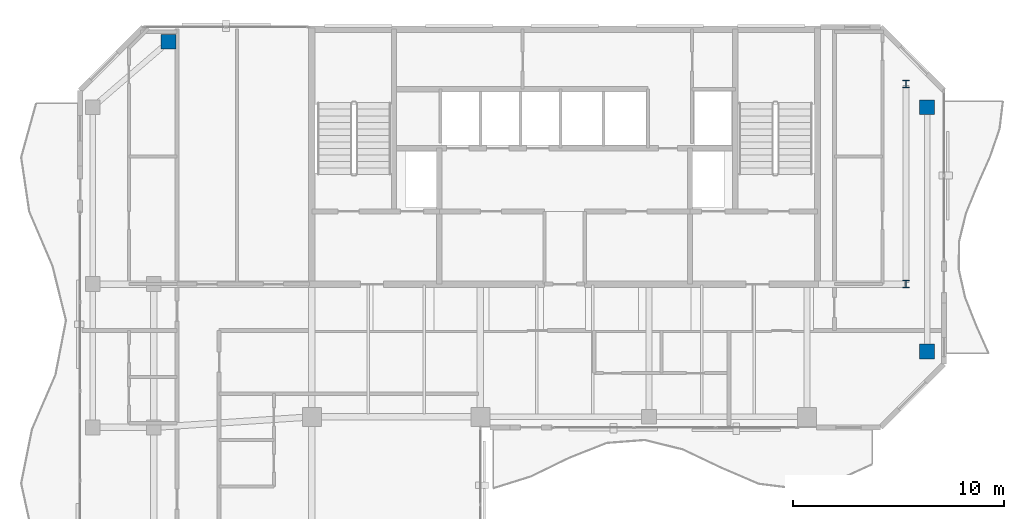
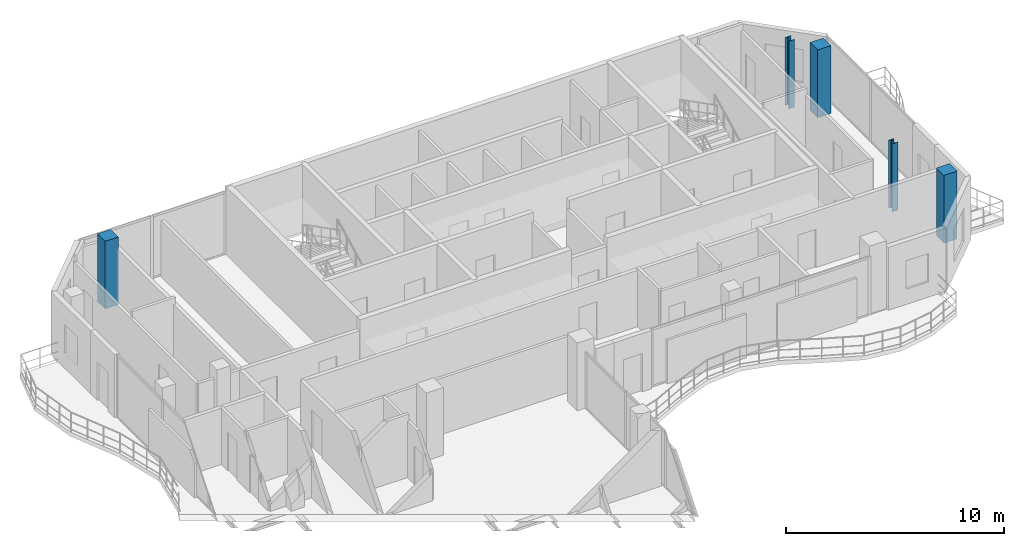
# One storey, part 2 of 23: 5 columns.
"""IFC4 building model written with IfcOpenShell, lengths in metres."""

from ifc_helpers import new_model, si_unit, direction, frame, origin, origin_2d, place, context, subcontext, project, spatial, rectangle, i_section, extrude, material, material_profile, profile_set, type_object, element, save


model = new_model("IFC4")

# Units and contexts
model_context = context("Model", 3, precision=1e-05, world=origin(), true_north=direction((0.0, 1.0)))
body_context = subcontext(model_context, "Body", "Model", "MODEL_VIEW")
ifc_project = project(units=[si_unit("LENGTHUNIT", "METRE"), si_unit("AREAUNIT", "SQUARE_METRE"), si_unit("VOLUMEUNIT", "CUBIC_METRE"), si_unit("PLANEANGLEUNIT", "RADIAN"), si_unit("MASSUNIT", "GRAM", prefix="KILO")], contexts=[model_context])

# Site, building, storey
site_placement = place(None, origin())
site = spatial("IfcSite", under=ifc_project, at=site_placement, CompositionType="ELEMENT")
building_placement = place(site_placement, origin())
building = spatial("IfcBuilding", under=site, at=building_placement, Name="Catumbela Crestline Tower", CompositionType="ELEMENT")
storey_placement = place(building_placement, frame((0.0, 0.0, 248.8)))
storey = spatial("IfcBuildingStorey", under=building, at=storey_placement, Name="L64", CompositionType="ELEMENT", Elevation=248.8)

# Columns
ifc_material_1 = material(Name="Concrete C45/55", Category="concrete")
ifc_material_profile_1 = material_profile(ifc_material_1, rectangle(XDim=0.7, YDim=0.7, at=origin_2d()), Name="RC 700x700")
ifc_profile_set_1 = profile_set([ifc_material_profile_1], Name="Concrete C45/55")
column_type_1 = type_object("IfcColumnType", Name="C-RC700-C45", PredefinedType="COLUMN", material=ifc_profile_set_1)
for number, where, z_axis, x_axis, name in (
    (1, (9.2, 42.3, 0.0), (0.0, 0.0, 1.0), (1.0, 0.0, 0.0), "L64 Column C-08-43 (RC 700x700)"),
    (2, (45.2, 27.6, 0.0), (0.0, 0.0, 1.0), (1.0, 0.0, 0.0), "L64 Column C-46-24 (RC 700x700)"),
    (3, (45.2, 39.2, 0.0), (0.0, 0.0, 1.0), (1.0, 0.0, 0.0), "L64 Column C-46-43 (RC 700x700)"),
):
    element("IfcColumn", number, at=place(storey_placement, frame(where, z_axis=z_axis, x_axis=x_axis)), inside=storey, type_object=column_type_1, Name=name, PredefinedType="COLUMN", context=body_context, shape_type="SweptSolid", body=[
        extrude(rectangle(XDim=0.7, YDim=0.7, at=origin_2d()), origin(), (0.0, 0.0, 1.0), 3.8),
    ])
ifc_material_2 = material(Name="Structural steel S355J2", Category="steel")
ifc_material_profile_2 = material_profile(ifc_material_2, i_section(OverallWidth=0.3, OverallDepth=0.36, WebThickness=0.0125, FlangeThickness=0.0225, FilletRadius=0.027, at=origin_2d()), Name="HEB 360")
ifc_profile_set_2 = profile_set([ifc_material_profile_2], Name="Structural steel S355J2")
column_type_2 = type_object("IfcColumnType", Name="C-ST-HEB360", PredefinedType="COLUMN", material=ifc_profile_set_2)
for number, where, z_axis, x_axis, name in (
    (4, (44.2, 30.8, 0.0), (0.0, 0.0, 1.0), (1.0, 0.0, 0.0), "L64 Column CT-46-31 (HEB 360)"),
    (5, (44.2, 40.3, 0.0), (0.0, 0.0, 1.0), (1.0, 0.0, 0.0), "L64 Column CT-46-37 (HEB 360)"),
):
    element("IfcColumn", number, at=place(storey_placement, frame(where, z_axis=z_axis, x_axis=x_axis)), inside=storey, type_object=column_type_2, Name=name, PredefinedType="COLUMN", context=body_context, shape_type="SweptSolid", body=[
        extrude(i_section(OverallWidth=0.3, OverallDepth=0.36, WebThickness=0.0125, FlangeThickness=0.0225, FilletRadius=0.027, at=origin_2d()), origin(), (0.0, 0.0, 1.0), 3.8),
    ])

save(model, "model.ifc")
